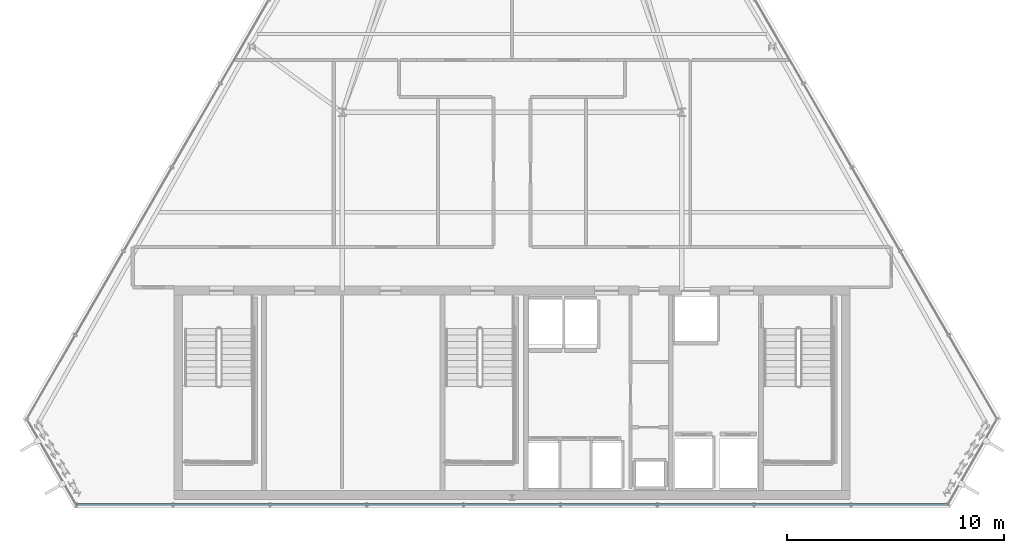
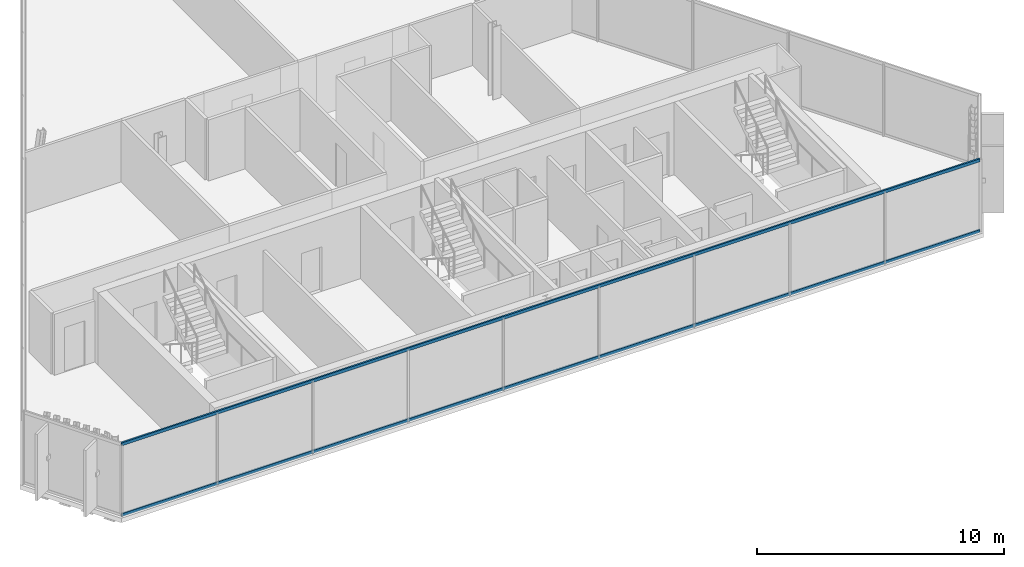
# One storey, part 8 of 32: 2 members, 1 element without a shape of its own.
"""IFC4 building model written with IfcOpenShell, lengths in metres."""

from ifc_helpers import new_model, si_unit, direction, frame, origin, origin_2d, place, context, subcontext, project, spatial, hollow_rectangle, extrude, material, layer, layer_set, material_profile, profile_set, type_object, element, aggregate, save


model = new_model("IFC4")

# Units and contexts
model_context = context("Model", 3, precision=1e-05, world=origin(), true_north=direction((0.0, 1.0)))
body_context = subcontext(model_context, "Body", "Model", "MODEL_VIEW")
ifc_project = project(units=[si_unit("LENGTHUNIT", "METRE"), si_unit("AREAUNIT", "SQUARE_METRE"), si_unit("VOLUMEUNIT", "CUBIC_METRE"), si_unit("PLANEANGLEUNIT", "RADIAN"), si_unit("MASSUNIT", "GRAM", prefix="KILO")], contexts=[model_context])

# Site, building, storey
site_placement = place(None, origin())
site = spatial("IfcSite", under=ifc_project, at=site_placement, CompositionType="ELEMENT")
building_placement = place(site_placement, origin())
building = spatial("IfcBuilding", under=site, at=building_placement, Name="Ndaravel Arena Tower", CompositionType="ELEMENT")
storey_placement = place(building_placement, frame((0.0, 0.0, 290.89990234375)))
storey = spatial("IfcBuildingStorey", under=building, at=storey_placement, Name="L71", CompositionType="ELEMENT", Elevation=290.89990234375)

# Curtain wall, members
ifc_material_1 = material(Name="Aluminium", Category="aluminium")
ifc_layer = layer(ifc_material_1, 0.179931640625)
ifc_layer_set = layer_set([ifc_layer], Name="Aluminium")
curtain_wall_type = type_object("IfcCurtainWallType", Name="CW-SYS-03", PredefinedType="NOTDEFINED", material=ifc_layer_set)
curtain_wall_placement = place(storey_placement, origin())
curtain_wall = element("IfcCurtainWall", 1, at=curtain_wall_placement, inside=storey, type_object=curtain_wall_type, Name="L71 Faceted Crystal Curtain Wall CW-L71-E01", PredefinedType="NOTDEFINED")
ifc_material_2 = material(Name="Aluminium", Category="aluminium")
ifc_material_profile = material_profile(ifc_material_2, hollow_rectangle(XDim=0.074951171875, YDim=0.14990234375, WallThickness=0.00390625, at=origin_2d()), Name="CW TRANSOM 75x150x4")
ifc_profile_set = profile_set([ifc_material_profile], Name="Aluminium")
member_type = type_object("IfcMemberType", Name="MEM-CW-TRN150", PredefinedType="USERDEFINED", material=ifc_profile_set)
member_1_placement = place(storey_placement, frame((21.96484375, 5.159912109375, 0.0400390625), z_axis=(1.0, 0.0, 0.0), x_axis=(0.0, 1.0, 0.0)))
member_1 = element("IfcMember", 2, at=member_1_placement, type_object=member_type, Name="CW-L71-E01 Transom 01", ObjectType="TRANSOM", PredefinedType="USERDEFINED", context=body_context, shape_type="SweptSolid", body=[
    extrude(hollow_rectangle(XDim=0.074951171875, YDim=0.14990234375, WallThickness=0.00390625, at=origin_2d()), origin(), (0.0, 0.0, 1.0), 40.0703125),
])
member_2_placement = place(storey_placement, frame((21.96484375, 5.159912109375, 3.5400390625), z_axis=(1.0, 0.0, 0.0), x_axis=(0.0, 1.0, 0.0)))
member_2 = element("IfcMember", 3, at=member_2_placement, type_object=member_type, Name="CW-L71-E01 Transom 02", ObjectType="TRANSOM", PredefinedType="USERDEFINED", context=body_context, shape_type="SweptSolid", body=[
    extrude(hollow_rectangle(XDim=0.074951171875, YDim=0.14990234375, WallThickness=0.00390625, at=origin_2d()), origin(), (0.0, 0.0, 1.0), 40.0703125),
])
aggregate(curtain_wall, [member_1, member_2])

save(model, "model.ifc")
